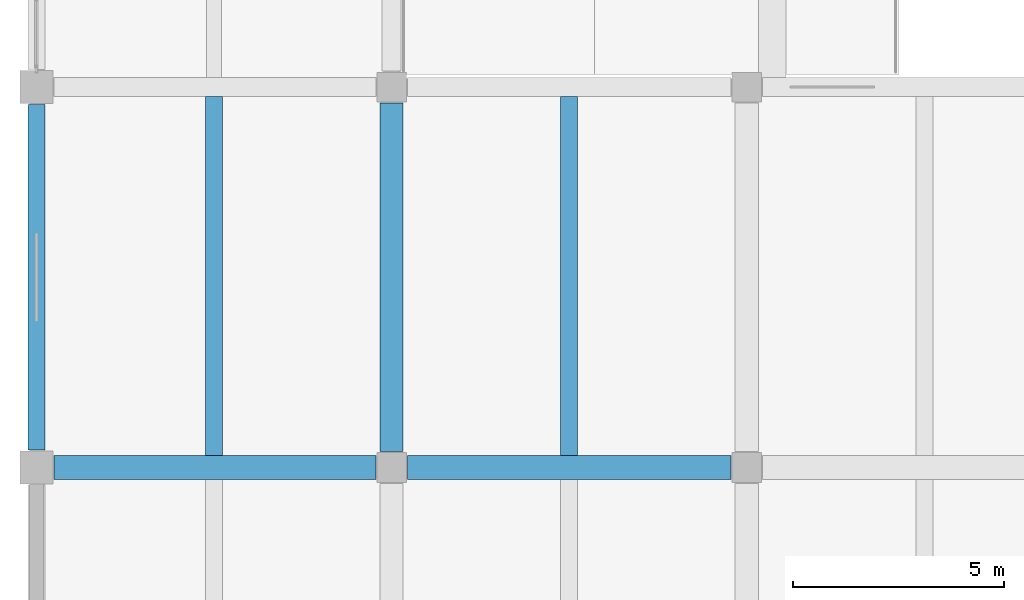
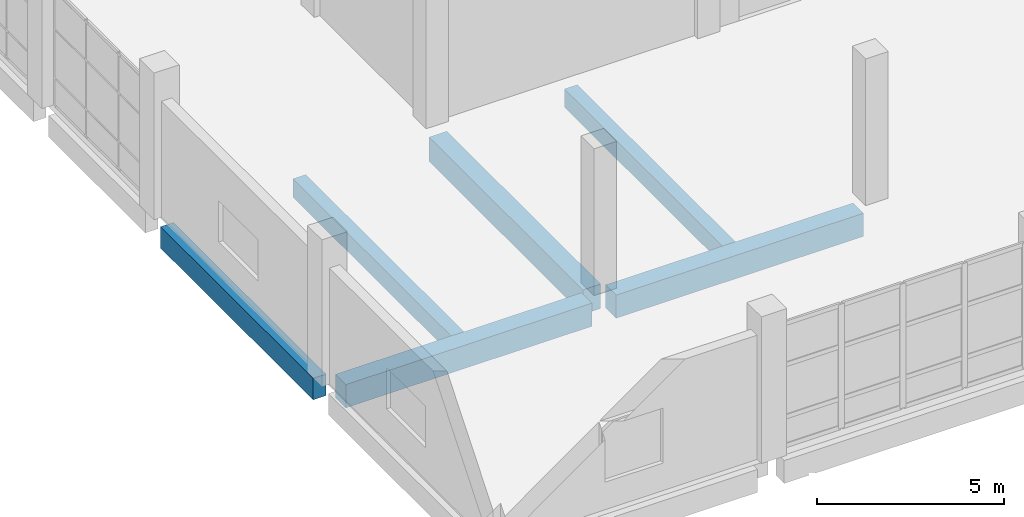
# One storey, part 5 of 91: 6 beams.
"""IFC4 building model written with IfcOpenShell, lengths in metres."""

from ifc_helpers import new_model, si_unit, direction, frame, origin, origin_2d, place, context, subcontext, project, spatial, rectangle, extrude, material, material_profile, profile_set, type_object, element, save


model = new_model("IFC4")

# Units and contexts
model_context = context("Model", 3, precision=1e-05, world=origin(), true_north=direction((0.0, 1.0)))
body_context = subcontext(model_context, "Body", "Model", "MODEL_VIEW")
ifc_project = project(units=[si_unit("LENGTHUNIT", "METRE"), si_unit("AREAUNIT", "SQUARE_METRE"), si_unit("VOLUMEUNIT", "CUBIC_METRE"), si_unit("PLANEANGLEUNIT", "RADIAN"), si_unit("MASSUNIT", "GRAM", prefix="KILO")], contexts=[model_context])

# Site, building, storey
site_placement = place(None, origin())
site = spatial("IfcSite", under=ifc_project, at=site_placement, CompositionType="ELEMENT")
building_placement = place(site_placement, origin())
building = spatial("IfcBuilding", under=site, at=building_placement, Name="Pellamere Symphony Hall", CompositionType="ELEMENT")
storey_placement = place(building_placement, frame((0.0, 0.0, 5.39990234375)))
storey = spatial("IfcBuildingStorey", under=building, at=storey_placement, Name="L01", CompositionType="ELEMENT", Elevation=5.39990234375)

# Beams
ifc_material = material(Name="Concrete 40 MPa", Category="concrete")
ifc_material_profile_1 = material_profile(ifc_material, rectangle(XDim=0.550048828125, YDim=0.800048828125, at=origin_2d()), Name="RC 550x800")
ifc_profile_set_1 = profile_set([ifc_material_profile_1], Name="Concrete 40 MPa")
beam_type_1 = type_object("IfcBeamType", Name="RC CB-05 550x800", PredefinedType="BEAM", material=ifc_profile_set_1)
beam_1_placement = place(storey_placement, frame((8.39990234375, 9.375, -0.679931640625), z_axis=(0.0, 1.0, 0.0), x_axis=(-1.0, 0.0, 0.0)))
element("IfcBeam", 1, at=beam_1_placement, inside=storey, type_object=beam_type_1, Name="Girder CB-05-Y0720 (L01)", PredefinedType="BEAM", context=body_context, shape_type="SweptSolid", body=[
    extrude(rectangle(XDim=0.550048828125, YDim=0.800048828125, at=origin_2d()), origin(), (0.0, 0.0, 1.0), 8.25),
])
ifc_material_profile_2 = material_profile(ifc_material, rectangle(XDim=0.39990234375, YDim=0.60009765625, at=origin_2d()), Name="RC 400x600")
ifc_profile_set_2 = profile_set([ifc_material_profile_2], Name="Concrete 40 MPa")
beam_type_2 = type_object("IfcBeamType", Name="RC CB-09 400x600", PredefinedType="BEAM", material=ifc_profile_set_2)
for number, where, z_axis, x_axis, name in (
    (2, (4.199951171875, 9.280029296875, -0.594970703125), (0.0, 1.0, 0.0), (-1.0, 0.0, 0.0), "Secondary Floor Beam CB-09-M0001 (L01)"),
    (3, (12.60009765625, 9.280029296875, -0.594970703125), (0.0, 1.0, 0.0), (-1.0, 0.0, 0.0), "Secondary Floor Beam CB-09-M0101 (L01)"),
):
    element("IfcBeam", number, at=place(storey_placement, frame(where, z_axis=z_axis, x_axis=x_axis)), inside=storey, type_object=beam_type_2, Name=name, PredefinedType="BEAM", context=body_context, shape_type="SweptSolid", body=[
        extrude(rectangle(XDim=0.39990234375, YDim=0.60009765625, at=origin_2d()), origin(), (0.0, 0.0, 1.0), 8.494873046875),
    ])
ifc_material_profile_3 = material_profile(ifc_material, rectangle(XDim=0.39990234375, YDim=0.699951171875, at=origin_2d()), Name="RC 400x700")
ifc_profile_set_3 = profile_set([ifc_material_profile_3], Name="Concrete 40 MPa")
beam_type_3 = type_object("IfcBeamType", Name="RC CB-13 400x700", PredefinedType="SPANDREL", material=ifc_profile_set_3)
beam_2_placement = place(storey_placement, frame((0.0, 9.409912109375, -0.6298828125), z_axis=(0.0, 1.0, 0.0), x_axis=(-1.0, 0.0, 0.0)))
element("IfcBeam", 4, at=beam_2_placement, inside=storey, type_object=beam_type_3, Name="Girder CB-13-Y0714 (L01)", PredefinedType="SPANDREL", context=body_context, shape_type="SweptSolid", body=[
    extrude(rectangle(XDim=0.39990234375, YDim=0.699951171875, at=origin_2d()), origin(), (0.0, 0.0, 1.0), 8.18017578125),
])
ifc_material_profile_4 = material_profile(ifc_material, rectangle(XDim=0.56005859375, YDim=0.760009765625, at=origin_2d()), Name="RC 560x760")
ifc_profile_set_4 = profile_set([ifc_material_profile_4], Name="Concrete 40 MPa")
beam_type_4 = type_object("IfcBeamType", Name="RC CB-18 560x760", PredefinedType="BEAM", material=ifc_profile_set_4)
beam_3_placement = place(storey_placement, frame((0.409912109375, 9.0, -0.659912109375), z_axis=(1.0, 0.0, 0.0), x_axis=(0.0, 1.0, 0.0)))
element("IfcBeam", 5, at=beam_3_placement, inside=storey, type_object=beam_type_4, Name="Girder CB-18-X0537 (L01)", PredefinedType="BEAM", context=body_context, shape_type="SweptSolid", body=[
    extrude(rectangle(XDim=0.56005859375, YDim=0.760009765625, at=origin_2d()), origin(), (0.0, 0.0, 1.0), 7.614990234375),
])
beam_4_placement = place(storey_placement, frame((8.77490234375, 9.0, -0.659912109375), z_axis=(1.0, 0.0, 0.0), x_axis=(0.0, 1.0, 0.0)))
element("IfcBeam", 6, at=beam_4_placement, inside=storey, type_object=beam_type_4, Name="Girder CB-18-X0538 (L01)", PredefinedType="BEAM", context=body_context, shape_type="SweptSolid", body=[
    extrude(rectangle(XDim=0.56005859375, YDim=0.760009765625, at=origin_2d()), origin(), (0.0, 0.0, 1.0), 7.650146484375),
])

save(model, "model.ifc")
